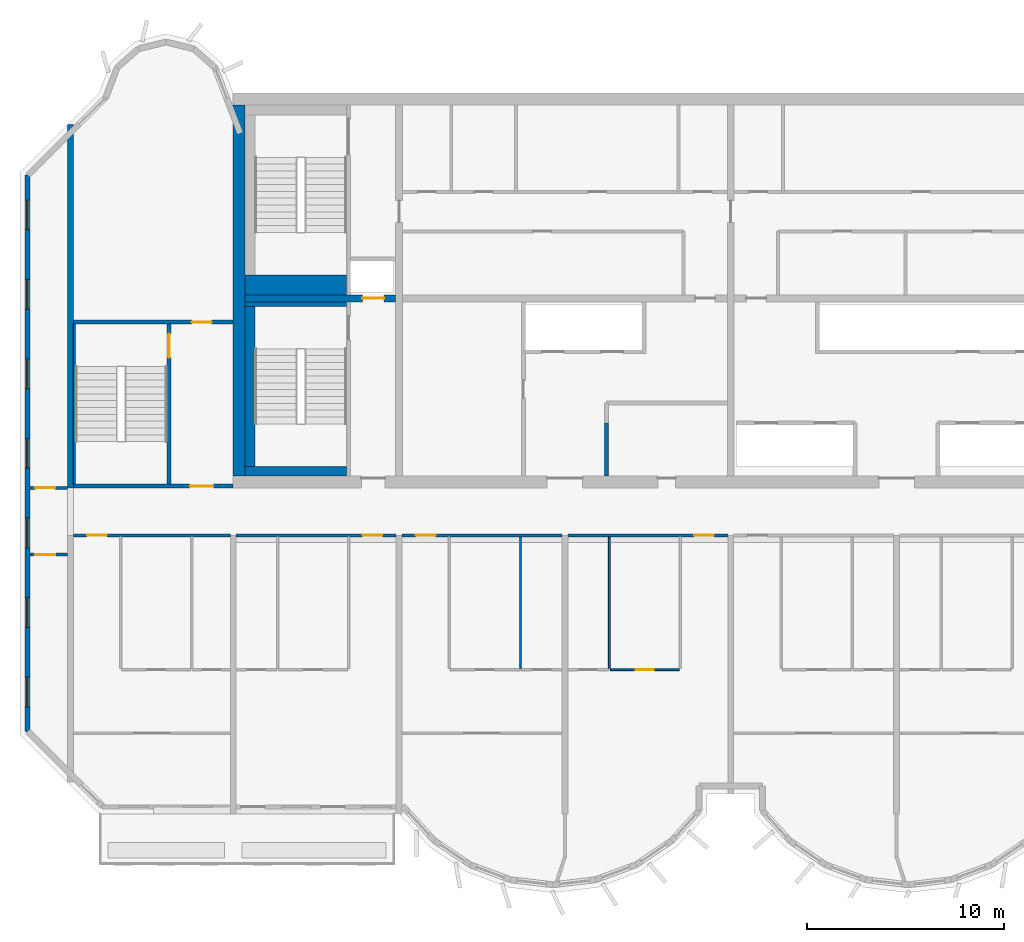
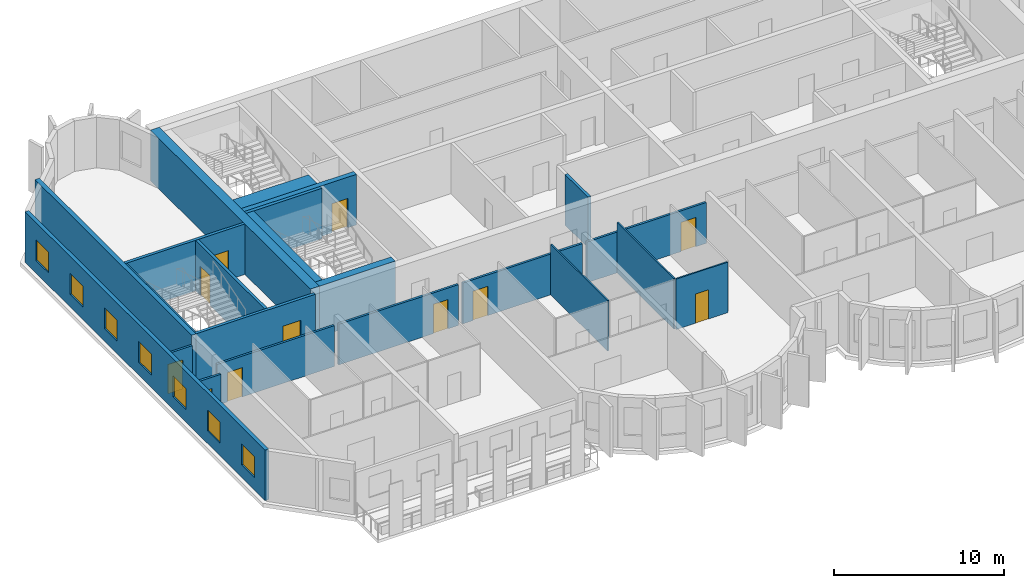
# One storey, part 3 of 11: 22 walls, 11 doors, 7 windows, 18 openings.
"""IFC4 building model written with IfcOpenShell, lengths in metres."""

from ifc_helpers import new_model, si_unit, direction, frame, frame_2d, origin, place, context, subcontext, project, spatial, rectangle, extrude, source, transform, mapped, material, layer, layer_set, type_object, element, fill, save


model = new_model("IFC4")

# Units and contexts
model_context = context("Model", 3, precision=1e-05, world=origin(), true_north=direction((0.0, 1.0)))
body_context = subcontext(model_context, "Body", "Model", "MODEL_VIEW")
ifc_project = project(units=[si_unit("LENGTHUNIT", "METRE"), si_unit("AREAUNIT", "SQUARE_METRE"), si_unit("VOLUMEUNIT", "CUBIC_METRE"), si_unit("PLANEANGLEUNIT", "RADIAN"), si_unit("MASSUNIT", "GRAM", prefix="KILO")], contexts=[model_context])

# Site, building, storey
site_placement = place(None, origin())
site = spatial("IfcSite", under=ifc_project, at=site_placement, CompositionType="ELEMENT")
building_placement = place(site_placement, origin())
building = spatial("IfcBuilding", under=site, at=building_placement, Name="Vanashikhar Sky Hotel", CompositionType="ELEMENT")
storey_placement = place(building_placement, frame((0.0, 0.0, 249.10009765625)))
storey = spatial("IfcBuildingStorey", under=building, at=storey_placement, Name="L60", CompositionType="ELEMENT", Elevation=249.10009765625)

# Wall
ifc_material_1 = material(Name="Concrete M60", Category="concrete")
ifc_layer_1 = layer(ifc_material_1, 0.60009765625)
ifc_layer_set_1 = layer_set([ifc_layer_1], Name="RC core shell wall 600 Concrete M60")
wall_type_1 = type_object("IfcWallType", Name="RC core shell wall 600 Concrete M60", PredefinedType="SHEAR", material=ifc_layer_set_1)
shared_shape_1 = source(origin(), body_context, "Body", "SweptSolid", [
    extrude(rectangle(XDim=18.7998046875, YDim=0.60009765625, at=frame_2d((9.39990234375, 0.0))), origin(), (0.0, 0.0, 1.0), 3.619873046875),
])
wall_1_placement = place(storey_placement, frame((25.5, 22.60009765625, 0.0), z_axis=(0.0, 0.0, 1.0), x_axis=(0.0, 1.0, 0.0)))
element("IfcWall", 1, at=wall_1_placement, inside=storey, type_object=wall_type_1, Name="KW-L60-KW", PredefinedType="SHEAR", context=body_context, shape_type="MappedRepresentation", body=[
    mapped(shared_shape_1, transform((0.0, 0.0, 0.0), scale=1.0)),
])

# Wall, opening, door
ifc_layer_2 = layer(ifc_material_1, 0.35009765625)
ifc_layer_set_2 = layer_set([ifc_layer_2], Name="RC core inner wall 350 Concrete M60")
wall_type_2 = type_object("IfcWallType", Name="RC core inner wall 350 Concrete M60", PredefinedType="SHEAR", material=ifc_layer_set_2)
shared_shape_2 = source(origin(), body_context, "Body", "SweptSolid", [
    extrude(rectangle(XDim=7.625, YDim=0.35009765625, at=frame_2d((3.8125, 0.0))), origin(), (0.0, 0.0, 1.0), 3.619873046875),
])
wall_2_placement = place(storey_placement, frame((25.800048828125, 31.60009765625, 0.0), z_axis=(0.0, 0.0, 1.0), x_axis=(1.0, 0.0, 0.0)))
wall_2 = element("IfcWall", 2, at=wall_2_placement, inside=storey, type_object=wall_type_2, Name="KW-L60-KY1", PredefinedType="SHEAR", context=body_context, shape_type="MappedRepresentation", body=[
    mapped(shared_shape_2, transform((0.0, 0.0, 0.0), scale=1.0)),
])
shared_shape_3 = source(origin(), body_context, "Body", "SweptSolid", [
    extrude(rectangle(XDim=1.10009765625, YDim=2.10009765625, at=frame_2d((0.550048828125, 1.050048828125))), frame((0.0, 0.18505859375, 0.0), z_axis=(0.0, -1.0, 0.0), x_axis=(1.0, 0.0, 0.0)), (0.0, 0.0, 1.0), 0.3701171875),
])
opening_1_placement = place(wall_2_placement, frame((5.93798828125, 0.0, 0.0)))
opening_1 = element("IfcOpeningElement", 3, at=opening_1_placement, cuts=wall_2, Name="Opening LD", PredefinedType="OPENING", context=body_context, shape_type="MappedRepresentation", body=[
    mapped(shared_shape_3, transform((0.0, 0.0, 0.0), scale=1.0)),
])
ifc_material_2 = material(Name="Stainless steel", Category="steel")
door_type_1 = type_object("IfcDoorType", Name="Lift landing door 1100", OperationType="NOTDEFINED", PredefinedType="DOOR", material=ifc_material_2)
shared_shape_4 = source(origin(), body_context, "Body", "SweptSolid", [
    extrude(rectangle(XDim=1.10009765625, YDim=2.10009765625, at=frame_2d((0.550048828125, 1.050048828125))), frame((0.0, 0.02490234375, 0.0), z_axis=(0.0, -1.0, 0.0), x_axis=(1.0, 0.0, 0.0)), (0.0, 0.0, 1.0), 0.050048828125),
])
door_1_placement = place(opening_1_placement, origin())
door_1 = element("IfcDoor", 4, at=door_1_placement, inside=storey, type_object=door_type_1, Name="Lift landing door 1100", OperationType="SLIDING_TO_RIGHT", OverallHeight=2.10009765625, OverallWidth=1.10009765625, PredefinedType="DOOR", context=body_context, shape_type="MappedRepresentation", body=[
    mapped(shared_shape_4, transform((0.0, 0.0, 0.0), scale=1.0)),
])
fill(opening_1, door_1)

# Wall
ifc_layer_3 = layer(ifc_material_1, 0.300048828125)
ifc_layer_set_3 = layer_set([ifc_layer_3], Name="RC shear wall 300 Concrete M60")
wall_type_3 = type_object("IfcWallType", Name="RC shear wall 300 Concrete M60", PredefinedType="SHEAR", material=ifc_layer_set_3)
shared_shape_5 = source(origin(), body_context, "Body", "SweptSolid", [
    extrude(rectangle(XDim=18.39990234375, YDim=0.300048828125, at=frame_2d((9.199951171875, 0.0))), origin(), (0.0, 0.0, 1.0), 3.619873046875),
])
wall_3_placement = place(storey_placement, frame((16.949951171875, 22.0, 0.0), z_axis=(0.0, 0.0, 1.0), x_axis=(0.0, 1.0, 0.0)))
element("IfcWall", 5, at=wall_3_placement, inside=storey, type_object=wall_type_3, Name="CW-L60-XW03-2", PredefinedType="SHEAR", context=body_context, shape_type="MappedRepresentation", body=[
    mapped(shared_shape_5, transform((0.0, 0.0, 0.0), scale=1.0)),
])

# Wall, openings, windows
ifc_material_3 = material(Name="Concrete M50", Category="concrete")
ifc_layer_4 = layer(ifc_material_3, 0.25)
ifc_layer_set_4 = layer_set([ifc_layer_4], Name="Rear and end board-marked wall 250")
wall_type_4 = type_object("IfcWallType", Name="Rear and end board-marked wall 250", PredefinedType="SOLIDWALL", material=ifc_layer_set_4)
shared_shape_6 = source(origin(), body_context, "Body", "SweptSolid", [
    extrude(rectangle(XDim=28.189453125, YDim=0.25, at=frame_2d((14.0947265625, 0.0))), origin(), (0.0, 0.0, 1.0), 3.619873046875),
])
wall_4_placement = place(storey_placement, frame((14.77490234375, 37.8447265625, 0.0), z_axis=(0.0, 0.0, 1.0), x_axis=(0.0, -1.0, 0.0)))
wall_4 = element("IfcWall", 6, at=wall_4_placement, inside=storey, type_object=wall_type_4, Name="End board-marked wall", PredefinedType="SOLIDWALL", context=body_context, shape_type="MappedRepresentation", body=[
    mapped(shared_shape_6, transform((0.0, 0.0, 0.0), scale=1.0)),
])
shared_shape_7 = source(origin(), body_context, "Body", "SweptSolid", [
    extrude(rectangle(XDim=1.5, YDim=1.5, at=frame_2d((0.75, 0.75))), frame((0.0, 0.135009765625, 0.0), z_axis=(0.0, -1.0, 0.0), x_axis=(1.0, 0.0, 0.0)), (0.0, 0.0, 1.0), 0.27001953125),
])
opening_2_placement = place(wall_4_placement, frame((1.263427734375, 0.0, 0.89990234375)))
opening_2 = element("IfcOpeningElement", 7, at=opening_2_placement, cuts=wall_4, Name="Opening WN-1", PredefinedType="OPENING", context=body_context, shape_type="MappedRepresentation", body=[
    mapped(shared_shape_7, transform((0.0, 0.0, 0.0), scale=1.0)),
])
opening_3_placement = place(wall_4_placement, frame((5.29052734375, 0.0, 0.89990234375)))
opening_3 = element("IfcOpeningElement", 8, at=opening_3_placement, cuts=wall_4, Name="Opening WN-1", PredefinedType="OPENING", context=body_context, shape_type="MappedRepresentation", body=[
    mapped(shared_shape_7, transform((0.0, 0.0, 0.0), scale=1.0)),
])
opening_4_placement = place(wall_4_placement, frame((9.317626953125, 0.0, 0.89990234375)))
opening_4 = element("IfcOpeningElement", 9, at=opening_4_placement, cuts=wall_4, Name="Opening WN-1", PredefinedType="OPENING", context=body_context, shape_type="MappedRepresentation", body=[
    mapped(shared_shape_7, transform((0.0, 0.0, 0.0), scale=1.0)),
])
opening_5_placement = place(wall_4_placement, frame((13.3447265625, 0.0, 0.89990234375)))
opening_5 = element("IfcOpeningElement", 10, at=opening_5_placement, cuts=wall_4, Name="Opening WN-1", PredefinedType="OPENING", context=body_context, shape_type="MappedRepresentation", body=[
    mapped(shared_shape_7, transform((0.0, 0.0, 0.0), scale=1.0)),
])
opening_6_placement = place(wall_4_placement, frame((17.371826171875, 0.0, 0.89990234375)))
opening_6 = element("IfcOpeningElement", 11, at=opening_6_placement, cuts=wall_4, Name="Opening WN-1", PredefinedType="OPENING", context=body_context, shape_type="MappedRepresentation", body=[
    mapped(shared_shape_7, transform((0.0, 0.0, 0.0), scale=1.0)),
])
opening_7_placement = place(wall_4_placement, frame((21.398681640625, 0.0, 0.89990234375)))
opening_7 = element("IfcOpeningElement", 12, at=opening_7_placement, cuts=wall_4, Name="Opening WN-1", PredefinedType="OPENING", context=body_context, shape_type="MappedRepresentation", body=[
    mapped(shared_shape_7, transform((0.0, 0.0, 0.0), scale=1.0)),
])
opening_8_placement = place(wall_4_placement, frame((25.42578125, 0.0, 0.89990234375)))
opening_8 = element("IfcOpeningElement", 13, at=opening_8_placement, cuts=wall_4, Name="Opening WN-1", PredefinedType="OPENING", context=body_context, shape_type="MappedRepresentation", body=[
    mapped(shared_shape_7, transform((0.0, 0.0, 0.0), scale=1.0)),
])
ifc_material_4 = material(Name="Glass", Category="glass")
window_type = type_object("IfcWindowType", Name="Window 1500 x 1500", PartitioningType="SINGLE_PANEL", PredefinedType="WINDOW", material=ifc_material_4)
shared_shape_8 = source(origin(), body_context, "Body", "SweptSolid", [
    extrude(rectangle(XDim=1.5, YDim=1.5, at=frame_2d((0.75, 0.75))), frame((0.0, 0.030029296875, 0.0), z_axis=(0.0, -1.0, 0.0), x_axis=(1.0, 0.0, 0.0)), (0.0, 0.0, 1.0), 0.06005859375),
])
window_1_placement = place(opening_2_placement, origin())
window_1 = element("IfcWindow", 14, at=window_1_placement, inside=storey, type_object=window_type, Name="Window WN-1", OverallHeight=1.5, OverallWidth=1.5, PartitioningType="SINGLE_PANEL", PredefinedType="WINDOW", context=body_context, shape_type="MappedRepresentation", body=[
    mapped(shared_shape_8, transform((0.0, 0.0, 0.0), scale=1.0)),
])
fill(opening_2, window_1)
window_2_placement = place(opening_3_placement, origin())
window_2 = element("IfcWindow", 15, at=window_2_placement, inside=storey, type_object=window_type, Name="Window WN-1", OverallHeight=1.5, OverallWidth=1.5, PartitioningType="SINGLE_PANEL", PredefinedType="WINDOW", context=body_context, shape_type="MappedRepresentation", body=[
    mapped(shared_shape_8, transform((0.0, 0.0, 0.0), scale=1.0)),
])
fill(opening_3, window_2)
window_3_placement = place(opening_4_placement, origin())
window_3 = element("IfcWindow", 16, at=window_3_placement, inside=storey, type_object=window_type, Name="Window WN-1", OverallHeight=1.5, OverallWidth=1.5, PartitioningType="SINGLE_PANEL", PredefinedType="WINDOW", context=body_context, shape_type="MappedRepresentation", body=[
    mapped(shared_shape_8, transform((0.0, 0.0, 0.0), scale=1.0)),
])
fill(opening_4, window_3)
window_4_placement = place(opening_5_placement, origin())
window_4 = element("IfcWindow", 17, at=window_4_placement, inside=storey, type_object=window_type, Name="Window WN-1", OverallHeight=1.5, OverallWidth=1.5, PartitioningType="SINGLE_PANEL", PredefinedType="WINDOW", context=body_context, shape_type="MappedRepresentation", body=[
    mapped(shared_shape_8, transform((0.0, 0.0, 0.0), scale=1.0)),
])
fill(opening_5, window_4)
window_5_placement = place(opening_6_placement, origin())
window_5 = element("IfcWindow", 18, at=window_5_placement, inside=storey, type_object=window_type, Name="Window WN-1", OverallHeight=1.5, OverallWidth=1.5, PartitioningType="SINGLE_PANEL", PredefinedType="WINDOW", context=body_context, shape_type="MappedRepresentation", body=[
    mapped(shared_shape_8, transform((0.0, 0.0, 0.0), scale=1.0)),
])
fill(opening_6, window_5)
window_6_placement = place(opening_7_placement, origin())
window_6 = element("IfcWindow", 19, at=window_6_placement, inside=storey, type_object=window_type, Name="Window WN-1", OverallHeight=1.5, OverallWidth=1.5, PartitioningType="SINGLE_PANEL", PredefinedType="WINDOW", context=body_context, shape_type="MappedRepresentation", body=[
    mapped(shared_shape_8, transform((0.0, 0.0, 0.0), scale=1.0)),
])
fill(opening_7, window_6)
window_7_placement = place(opening_8_placement, origin())
window_7 = element("IfcWindow", 20, at=window_7_placement, inside=storey, type_object=window_type, Name="Window WN-1", OverallHeight=1.5, OverallWidth=1.5, PartitioningType="SINGLE_PANEL", PredefinedType="WINDOW", context=body_context, shape_type="MappedRepresentation", body=[
    mapped(shared_shape_8, transform((0.0, 0.0, 0.0), scale=1.0)),
])
fill(opening_8, window_7)

# Wall
ifc_material_5 = material(Name="Gypsum board partition")
ifc_layer_5 = layer(ifc_material_5, 0.14990234375)
ifc_layer_set_5 = layer_set([ifc_layer_5], Name="Service partition 150")
wall_type_5 = type_object("IfcWallType", Name="Service partition 150", PredefinedType="PARTITIONING", material=ifc_layer_set_5)
shared_shape_9 = source(origin(), body_context, "Body", "SweptSolid", [
    extrude(rectangle(XDim=2.699951171875, YDim=0.199951171875, at=frame_2d((1.35009765625, 0.0))), origin(), (0.0, 0.0, 1.0), 3.619873046875),
])
wall_5_placement = place(storey_placement, frame((44.10009765625, 22.60009765625, 0.0), z_axis=(0.0, 0.0, 1.0), x_axis=(0.0, 1.0, 0.0)))
element("IfcWall", 21, at=wall_5_placement, inside=storey, type_object=wall_type_5, Name="Service partition 150", PredefinedType="PARTITIONING", context=body_context, shape_type="MappedRepresentation", body=[
    mapped(shared_shape_9, transform((0.0, 0.0, 0.0), scale=1.0)),
])

# Wall, opening, door
ifc_layer_6 = layer(ifc_material_3, 0.199951171875)
ifc_layer_set_6 = layer_set([ifc_layer_6], Name="Stair wall 200")
wall_type_6 = type_object("IfcWallType", Name="Stair wall 200", PredefinedType="SOLIDWALL", material=ifc_layer_set_6)
shared_shape_10 = source(origin(), body_context, "Body", "SweptSolid", [
    extrude(rectangle(XDim=8.2998046875, YDim=0.199951171875, at=frame_2d((4.14990234375, 0.0))), origin(), (0.0, 0.0, 1.0), 3.619873046875),
])
wall_6_placement = place(storey_placement, frame((21.949951171875, 22.10009765625, 0.0), z_axis=(0.0, 0.0, 1.0), x_axis=(0.0, 1.0, 0.0)))
wall_6 = element("IfcWall", 22, at=wall_6_placement, inside=storey, type_object=wall_type_6, Name="Stair wall 200", PredefinedType="SOLIDWALL", context=body_context, shape_type="MappedRepresentation", body=[
    mapped(shared_shape_10, transform((0.0, 0.0, 0.0), scale=1.0)),
])
shared_shape_11 = source(origin(), body_context, "Body", "SweptSolid", [
    extrude(rectangle(XDim=1.199951171875, YDim=2.10009765625, at=frame_2d((0.60009765625, 1.050048828125))), frame((0.0, 0.10986328125, 0.0), z_axis=(0.0, -1.0, 0.0), x_axis=(1.0, 0.0, 0.0)), (0.0, 0.0, 1.0), 0.219970703125),
])
opening_9_placement = place(wall_6_placement, frame((6.5, 0.0, 0.0)))
opening_9 = element("IfcOpeningElement", 23, at=opening_9_placement, cuts=wall_6, Name="Opening DC-1", PredefinedType="OPENING", context=body_context, shape_type="MappedRepresentation", body=[
    mapped(shared_shape_11, transform((0.0, 0.0, 0.0), scale=1.0)),
])
ifc_material_6 = material(Name="Steel", Category="steel")
door_type_2 = type_object("IfcDoorType", Name="Stair door 1200 FD120", OperationType="NOTDEFINED", PredefinedType="DOOR", material=ifc_material_6)
shared_shape_12 = source(origin(), body_context, "Body", "SweptSolid", [
    extrude(rectangle(XDim=1.199951171875, YDim=2.10009765625, at=frame_2d((0.60009765625, 1.050048828125))), frame((0.0, 0.02490234375, 0.0), z_axis=(0.0, -1.0, 0.0), x_axis=(1.0, 0.0, 0.0)), (0.0, 0.0, 1.0), 0.050048828125),
])
door_2_placement = place(opening_9_placement, origin())
door_2 = element("IfcDoor", 24, at=door_2_placement, inside=storey, type_object=door_type_2, Name="Stair door 1200 FD120", OperationType="SINGLE_SWING_LEFT", OverallHeight=2.10009765625, OverallWidth=1.199951171875, PredefinedType="DOOR", context=body_context, shape_type="MappedRepresentation", body=[
    mapped(shared_shape_12, transform((0.0, 0.0, 0.0), scale=1.0)),
])
fill(opening_9, door_2)

shared_shape_13 = source(origin(), body_context, "Body", "SweptSolid", [
    extrude(rectangle(XDim=8.099853515625, YDim=0.199951171875, at=frame_2d((4.0498046875, 0.0))), origin(), (0.0, 0.0, 1.0), 3.619873046875),
])
wall_7_placement = place(storey_placement, frame((17.10009765625, 22.10009765625, 0.0), z_axis=(0.0, 0.0, 1.0), x_axis=(1.0, 0.0, 0.0)))
wall_7 = element("IfcWall", 25, at=wall_7_placement, inside=storey, type_object=wall_type_6, Name="Stair wall 200", PredefinedType="SOLIDWALL", context=body_context, shape_type="MappedRepresentation", body=[
    mapped(shared_shape_13, transform((0.0, 0.0, 0.0), scale=1.0)),
])
opening_10_placement = place(wall_7_placement, frame((5.89990234375, 0.0, 0.0)))
opening_10 = element("IfcOpeningElement", 26, at=opening_10_placement, cuts=wall_7, Name="Opening DC-2", PredefinedType="OPENING", context=body_context, shape_type="MappedRepresentation", body=[
    mapped(shared_shape_11, transform((0.0, 0.0, 0.0), scale=1.0)),
])
door_type_3 = type_object("IfcDoorType", Name="Firefighting lobby door 1200 FD120", OperationType="NOTDEFINED", PredefinedType="DOOR", material=ifc_material_6)
door_3_placement = place(opening_10_placement, origin())
door_3 = element("IfcDoor", 27, at=door_3_placement, inside=storey, type_object=door_type_3, Name="Firefighting lobby door 1200 FD120", OperationType="SINGLE_SWING_LEFT", OverallHeight=2.10009765625, OverallWidth=1.199951171875, PredefinedType="DOOR", context=body_context, shape_type="MappedRepresentation", body=[
    mapped(shared_shape_12, transform((0.0, 0.0, 0.0), scale=1.0)),
])
fill(opening_10, door_3)

wall_8_placement = place(storey_placement, frame((17.10009765625, 30.39990234375, 0.0), z_axis=(0.0, 0.0, 1.0), x_axis=(1.0, 0.0, 0.0)))
wall_8 = element("IfcWall", 28, at=wall_8_placement, inside=storey, type_object=wall_type_6, Name="Stair wall 200", PredefinedType="SOLIDWALL", context=body_context, shape_type="MappedRepresentation", body=[
    mapped(shared_shape_13, transform((0.0, 0.0, 0.0), scale=1.0)),
])
shared_shape_14 = source(origin(), body_context, "Body", "SweptSolid", [
    extrude(rectangle(XDim=1.0, YDim=2.10009765625, at=frame_2d((0.5, 1.050048828125))), frame((0.0, 0.10986328125, 0.0), z_axis=(0.0, -1.0, 0.0), x_axis=(1.0, 0.0, 0.0)), (0.0, 0.0, 1.0), 0.219970703125),
])
opening_11_placement = place(wall_8_placement, frame((6.0, 0.0, 0.0)))
opening_11 = element("IfcOpeningElement", 29, at=opening_11_placement, cuts=wall_8, Name="Opening DC-6", PredefinedType="OPENING", context=body_context, shape_type="MappedRepresentation", body=[
    mapped(shared_shape_14, transform((0.0, 0.0, 0.0), scale=1.0)),
])
door_type_4 = type_object("IfcDoorType", Name="Pocket door 1000 FD60", OperationType="NOTDEFINED", PredefinedType="DOOR", material=ifc_material_6)
shared_shape_15 = source(origin(), body_context, "Body", "SweptSolid", [
    extrude(rectangle(XDim=1.0, YDim=2.10009765625, at=frame_2d((0.5, 1.050048828125))), frame((0.0, 0.02490234375, 0.0), z_axis=(0.0, -1.0, 0.0), x_axis=(1.0, 0.0, 0.0)), (0.0, 0.0, 1.0), 0.050048828125),
])
door_4_placement = place(opening_11_placement, origin())
door_4 = element("IfcDoor", 30, at=door_4_placement, inside=storey, type_object=door_type_4, Name="Pocket door 1000 FD60", OperationType="SINGLE_SWING_LEFT", OverallHeight=2.10009765625, OverallWidth=1.0, PredefinedType="DOOR", context=body_context, shape_type="MappedRepresentation", body=[
    mapped(shared_shape_15, transform((0.0, 0.0, 0.0), scale=1.0)),
])
fill(opening_11, door_4)

# Walls
ifc_layer_7 = layer(ifc_material_3, 0.5)
ifc_layer_set_7 = layer_set([ifc_layer_7], Name="Stair infill wall 500")
wall_type_7 = type_object("IfcWallType", Name="Stair infill wall 500", PredefinedType="SOLIDWALL", material=ifc_layer_set_7)
shared_shape_16 = source(origin(), body_context, "Body", "SweptSolid", [
    extrude(rectangle(XDim=5.14990234375, YDim=0.5, at=frame_2d((2.574951171875, 0.0))), origin(), (0.0, 0.0, 1.0), 3.619873046875),
])
wall_9_placement = place(storey_placement, frame((25.800048828125, 22.85009765625, 0.0), z_axis=(0.0, 0.0, 1.0), x_axis=(1.0, 0.0, 0.0)))
element("IfcWall", 31, at=wall_9_placement, inside=storey, type_object=wall_type_7, Name="Stair infill wall 500", PredefinedType="SOLIDWALL", context=body_context, shape_type="MappedRepresentation", body=[
    mapped(shared_shape_16, transform((0.0, 0.0, 0.0), scale=1.0)),
])
ifc_layer_8 = layer(ifc_material_3, 0.22509765625)
ifc_layer_set_8 = layer_set([ifc_layer_8], Name="Stair infill wall 225")
wall_type_8 = type_object("IfcWallType", Name="Stair infill wall 225", PredefinedType="SOLIDWALL", material=ifc_layer_set_8)
shared_shape_17 = source(origin(), body_context, "Body", "SweptSolid", [
    extrude(rectangle(XDim=5.14990234375, YDim=0.22509765625, at=frame_2d((2.574951171875, 0.0))), origin(), (0.0, 0.0, 1.0), 3.619873046875),
])
wall_10_placement = place(storey_placement, frame((25.800048828125, 31.31201171875, 0.0), z_axis=(0.0, 0.0, 1.0), x_axis=(1.0, 0.0, 0.0)))
element("IfcWall", 32, at=wall_10_placement, inside=storey, type_object=wall_type_8, Name="Stair infill wall 225", PredefinedType="SOLIDWALL", context=body_context, shape_type="MappedRepresentation", body=[
    mapped(shared_shape_17, transform((0.0, 0.0, 0.0), scale=1.0)),
])
shared_shape_18 = source(origin(), body_context, "Body", "SweptSolid", [
    extrude(rectangle(XDim=8.099853515625, YDim=0.5, at=frame_2d((4.0498046875, 0.0))), origin(), (0.0, 0.0, 1.0), 3.619873046875),
])
wall_11_placement = place(storey_placement, frame((26.050048828125, 23.10009765625, 0.0), z_axis=(0.0, 0.0, 1.0), x_axis=(0.0, 1.0, 0.0)))
element("IfcWall", 33, at=wall_11_placement, inside=storey, type_object=wall_type_7, Name="Stair infill wall 500", PredefinedType="SOLIDWALL", context=body_context, shape_type="MappedRepresentation", body=[
    mapped(shared_shape_18, transform((0.0, 0.0, 0.0), scale=1.0)),
])
ifc_layer_9 = layer(ifc_material_3, 0.10009765625)
ifc_layer_set_9 = layer_set([ifc_layer_9], Name="Stair infill wall 100")
wall_type_9 = type_object("IfcWallType", Name="Stair infill wall 100", PredefinedType="SOLIDWALL", material=ifc_layer_set_9)
shared_shape_19 = source(origin(), body_context, "Body", "SweptSolid", [
    extrude(rectangle(XDim=8.10009765625, YDim=0.10009765625, at=frame_2d((4.050048828125, 0.0))), origin(), (0.0, 0.0, 1.0), 3.619873046875),
])
wall_12_placement = place(storey_placement, frame((17.14990234375, 22.199951171875, 0.0), z_axis=(0.0, 0.0, 1.0), x_axis=(0.0, 1.0, 0.0)))
element("IfcWall", 34, at=wall_12_placement, inside=storey, type_object=wall_type_9, Name="Stair infill wall 100", PredefinedType="SOLIDWALL", context=body_context, shape_type="MappedRepresentation", body=[
    mapped(shared_shape_19, transform((0.0, 0.0, 0.0), scale=1.0)),
])
ifc_layer_10 = layer(ifc_material_3, 1.02490234375)
ifc_layer_set_10 = layer_set([ifc_layer_10], Name="Stair infill wall 1025")
wall_type_10 = type_object("IfcWallType", Name="Stair infill wall 1025", PredefinedType="SOLIDWALL", material=ifc_layer_set_10)
shared_shape_20 = source(origin(), body_context, "Body", "SweptSolid", [
    extrude(rectangle(XDim=5.14990234375, YDim=1.02490234375, at=frame_2d((2.574951171875, 0.0))), origin(), (0.0, 0.0, 1.0), 3.619873046875),
])
wall_13_placement = place(storey_placement, frame((25.800048828125, 32.287109375, 0.0), z_axis=(0.0, 0.0, 1.0), x_axis=(1.0, 0.0, 0.0)))
element("IfcWall", 35, at=wall_13_placement, inside=storey, type_object=wall_type_10, Name="Stair infill wall 1025", PredefinedType="SOLIDWALL", context=body_context, shape_type="MappedRepresentation", body=[
    mapped(shared_shape_20, transform((0.0, 0.0, 0.0), scale=1.0)),
])

# Wall, opening, door
ifc_material_7 = material(Name="Gypsum plasterboard partition")
ifc_layer_11 = layer(ifc_material_7, 0.14990234375)
ifc_layer_set_11 = layer_set([ifc_layer_11], Name="Corridor and demising partition 150")
wall_type_11 = type_object("IfcWallType", Name="Corridor and demising partition 150", PredefinedType="PARTITIONING", material=ifc_layer_set_11)
shared_shape_21 = source(origin(), body_context, "Body", "SweptSolid", [
    extrude(rectangle(XDim=8.099853515625, YDim=0.14990234375, at=frame_2d((4.0498046875, 0.0))), origin(), (0.0, 0.0, 1.0), 2.919921875),
])
wall_14_placement = place(storey_placement, frame((25.35009765625, 19.60009765625, 0.0), z_axis=(0.0, 0.0, 1.0), x_axis=(1.0, 0.0, 0.0)))
wall_14 = element("IfcWall", 36, at=wall_14_placement, inside=storey, type_object=wall_type_11, Name="W-L60-PW011", PredefinedType="PARTITIONING", context=body_context, shape_type="MappedRepresentation", body=[
    mapped(shared_shape_21, transform((0.0, 0.0, 0.0), scale=1.0)),
])
shared_shape_22 = source(origin(), body_context, "Body", "SweptSolid", [
    extrude(rectangle(XDim=1.0, YDim=2.10009765625, at=frame_2d((0.5, 1.050048828125))), frame((0.0, 0.0849609375, 0.0), z_axis=(0.0, -1.0, 0.0), x_axis=(1.0, 0.0, 0.0)), (0.0, 0.0, 1.0), 0.169921875),
])
opening_12_placement = place(wall_14_placement, frame((6.39990234375, 0.0, 0.0)))
opening_12 = element("IfcOpeningElement", 37, at=opening_12_placement, cuts=wall_14, Name="Opening D-01", PredefinedType="OPENING", context=body_context, shape_type="MappedRepresentation", body=[
    mapped(shared_shape_22, transform((0.0, 0.0, 0.0), scale=1.0)),
])
ifc_material_8 = material(Name="Timber fire door", Category="wood")
door_type_5 = type_object("IfcDoorType", Name="Guest entry door 1000 FD30S", OperationType="NOTDEFINED", PredefinedType="DOOR", material=ifc_material_8)
door_5_placement = place(opening_12_placement, origin())
door_5 = element("IfcDoor", 38, at=door_5_placement, inside=storey, type_object=door_type_5, Name="D-L60-007", OperationType="SINGLE_SWING_RIGHT", OverallHeight=2.10009765625, OverallWidth=1.0, PredefinedType="DOOR", context=body_context, shape_type="MappedRepresentation", body=[
    mapped(shared_shape_15, transform((0.0, 0.0, 0.0), scale=1.0)),
])
fill(opening_12, door_5)

shared_shape_23 = source(origin(), body_context, "Body", "SweptSolid", [
    extrude(rectangle(XDim=8.10009765625, YDim=0.14990234375, at=frame_2d((4.050048828125, 0.0))), origin(), (0.0, 0.0, 1.0), 2.919921875),
])
wall_15_placement = place(storey_placement, frame((33.75, 19.60009765625, 0.0), z_axis=(0.0, 0.0, 1.0), x_axis=(1.0, 0.0, 0.0)))
wall_15 = element("IfcWall", 39, at=wall_15_placement, inside=storey, type_object=wall_type_11, Name="W-L60-PW017", PredefinedType="PARTITIONING", context=body_context, shape_type="MappedRepresentation", body=[
    mapped(shared_shape_23, transform((0.0, 0.0, 0.0), scale=1.0)),
])
opening_13_placement = place(wall_15_placement, frame((0.699951171875, 0.0, 0.0)))
opening_13 = element("IfcOpeningElement", 40, at=opening_13_placement, cuts=wall_15, Name="Opening D-01", PredefinedType="OPENING", context=body_context, shape_type="MappedRepresentation", body=[
    mapped(shared_shape_22, transform((0.0, 0.0, 0.0), scale=1.0)),
])
door_6_placement = place(opening_13_placement, origin())
door_6 = element("IfcDoor", 41, at=door_6_placement, inside=storey, type_object=door_type_5, Name="D-L60-011", OperationType="SINGLE_SWING_LEFT", OverallHeight=2.10009765625, OverallWidth=1.0, PredefinedType="DOOR", context=body_context, shape_type="MappedRepresentation", body=[
    mapped(shared_shape_15, transform((0.0, 0.0, 0.0), scale=1.0)),
])
fill(opening_13, door_6)

wall_16_placement = place(storey_placement, frame((42.14990234375, 19.60009765625, 0.0), z_axis=(0.0, 0.0, 1.0), x_axis=(1.0, 0.0, 0.0)))
wall_16 = element("IfcWall", 42, at=wall_16_placement, inside=storey, type_object=wall_type_11, Name="W-L60-PW022", PredefinedType="PARTITIONING", context=body_context, shape_type="MappedRepresentation", body=[
    mapped(shared_shape_23, transform((0.0, 0.0, 0.0), scale=1.0)),
])
opening_14_placement = place(wall_16_placement, frame((6.39990234375, 0.0, 0.0)))
opening_14 = element("IfcOpeningElement", 43, at=opening_14_placement, cuts=wall_16, Name="Opening D-01", PredefinedType="OPENING", context=body_context, shape_type="MappedRepresentation", body=[
    mapped(shared_shape_22, transform((0.0, 0.0, 0.0), scale=1.0)),
])
door_7_placement = place(opening_14_placement, origin())
door_7 = element("IfcDoor", 44, at=door_7_placement, inside=storey, type_object=door_type_5, Name="D-L60-014", OperationType="SINGLE_SWING_RIGHT", OverallHeight=2.10009765625, OverallWidth=1.0, PredefinedType="DOOR", context=body_context, shape_type="MappedRepresentation", body=[
    mapped(shared_shape_15, transform((0.0, 0.0, 0.0), scale=1.0)),
])
fill(opening_14, door_7)

shared_shape_24 = source(origin(), body_context, "Body", "SweptSolid", [
    extrude(rectangle(XDim=7.949951171875, YDim=0.14990234375, at=frame_2d((3.97509765625, 0.0))), origin(), (0.0, 0.0, 1.0), 2.919921875),
])
wall_17_placement = place(storey_placement, frame((17.10009765625, 19.60009765625, 0.0), z_axis=(0.0, 0.0, 1.0), x_axis=(1.0, 0.0, 0.0)))
wall_17 = element("IfcWall", 45, at=wall_17_placement, inside=storey, type_object=wall_type_11, Name="W-L60-PW006", PredefinedType="PARTITIONING", context=body_context, shape_type="MappedRepresentation", body=[
    mapped(shared_shape_24, transform((0.0, 0.0, 0.0), scale=1.0)),
])
opening_15_placement = place(wall_17_placement, frame((0.699951171875, 0.0, 0.0)))
opening_15 = element("IfcOpeningElement", 46, at=opening_15_placement, cuts=wall_17, Name="Opening D-01", PredefinedType="OPENING", context=body_context, shape_type="MappedRepresentation", body=[
    mapped(shared_shape_22, transform((0.0, 0.0, 0.0), scale=1.0)),
])
door_8_placement = place(opening_15_placement, origin())
door_8 = element("IfcDoor", 47, at=door_8_placement, inside=storey, type_object=door_type_5, Name="D-L60-004", OperationType="SINGLE_SWING_LEFT", OverallHeight=2.10009765625, OverallWidth=1.0, PredefinedType="DOOR", context=body_context, shape_type="MappedRepresentation", body=[
    mapped(shared_shape_15, transform((0.0, 0.0, 0.0), scale=1.0)),
])
fill(opening_15, door_8)

shared_shape_25 = source(origin(), body_context, "Body", "SweptSolid", [
    extrude(rectangle(XDim=1.900146484375, YDim=0.14990234375, at=frame_2d((0.9501953125, 0.0))), origin(), (0.0, 0.0, 1.0), 2.919921875),
])
wall_18_placement = place(storey_placement, frame((14.89990234375, 22.0, 0.0), z_axis=(0.0, 0.0, 1.0), x_axis=(1.0, 0.0, 0.0)))
wall_18 = element("IfcWall", 48, at=wall_18_placement, inside=storey, type_object=wall_type_11, Name="W-L60-PW050", PredefinedType="PARTITIONING", context=body_context, shape_type="MappedRepresentation", body=[
    mapped(shared_shape_25, transform((0.0, 0.0, 0.0), scale=1.0)),
])
opening_16_placement = place(wall_18_placement, frame((0.27490234375, 0.0, 0.0)))
opening_16 = element("IfcOpeningElement", 49, at=opening_16_placement, cuts=wall_18, Name="Opening D-01", PredefinedType="OPENING", context=body_context, shape_type="MappedRepresentation", body=[
    mapped(shared_shape_22, transform((0.0, 0.0, 0.0), scale=1.0)),
])
door_9_placement = place(opening_16_placement, origin())
door_9 = element("IfcDoor", 50, at=door_9_placement, inside=storey, type_object=door_type_5, Name="D-L60-031", OperationType="SINGLE_SWING_LEFT", OverallHeight=2.10009765625, OverallWidth=1.0, PredefinedType="DOOR", context=body_context, shape_type="MappedRepresentation", body=[
    mapped(shared_shape_15, transform((0.0, 0.0, 0.0), scale=1.0)),
])
fill(opening_16, door_9)

wall_19_placement = place(storey_placement, frame((14.89990234375, 18.6279296875, 0.0), z_axis=(0.0, 0.0, 1.0), x_axis=(1.0, 0.0, 0.0)))
wall_19 = element("IfcWall", 51, at=wall_19_placement, inside=storey, type_object=wall_type_11, Name="W-L60-PW052", PredefinedType="PARTITIONING", context=body_context, shape_type="MappedRepresentation", body=[
    mapped(shared_shape_25, transform((0.0, 0.0, 0.0), scale=1.0)),
])
opening_17_placement = place(wall_19_placement, frame((0.27490234375, 0.0, 0.0)))
opening_17 = element("IfcOpeningElement", 52, at=opening_17_placement, cuts=wall_19, Name="Opening D-01", PredefinedType="OPENING", context=body_context, shape_type="MappedRepresentation", body=[
    mapped(shared_shape_22, transform((0.0, 0.0, 0.0), scale=1.0)),
])
door_10_placement = place(opening_17_placement, origin())
door_10 = element("IfcDoor", 53, at=door_10_placement, inside=storey, type_object=door_type_5, Name="D-L60-033", OperationType="SINGLE_SWING_LEFT", OverallHeight=2.10009765625, OverallWidth=1.0, PredefinedType="DOOR", context=body_context, shape_type="MappedRepresentation", body=[
    mapped(shared_shape_15, transform((0.0, 0.0, 0.0), scale=1.0)),
])
fill(opening_17, door_10)

ifc_layer_12 = layer(ifc_material_7, 0.10009765625)
ifc_layer_set_12 = layer_set([ifc_layer_12], Name="Wet room partition 100")
wall_type_12 = type_object("IfcWallType", Name="Wet room partition 100", PredefinedType="PARTITIONING", material=ifc_layer_set_12)
shared_shape_26 = source(origin(), body_context, "Body", "SweptSolid", [
    extrude(rectangle(XDim=3.5, YDim=0.10009765625, at=frame_2d((1.75, 0.0))), origin(), (0.0, 0.0, 1.0), 3.619873046875),
])
wall_20_placement = place(storey_placement, frame((44.300048828125, 12.800048828125, 0.0), z_axis=(0.0, 0.0, 1.0), x_axis=(1.0, 0.0, 0.0)))
wall_20 = element("IfcWall", 54, at=wall_20_placement, inside=storey, type_object=wall_type_12, Name="W-L60-PW020", PredefinedType="PARTITIONING", context=body_context, shape_type="MappedRepresentation", body=[
    mapped(shared_shape_26, transform((0.0, 0.0, 0.0), scale=1.0)),
])
shared_shape_27 = source(origin(), body_context, "Body", "SweptSolid", [
    extrude(rectangle(XDim=0.89990234375, YDim=2.10009765625, at=frame_2d((0.449951171875, 1.050048828125))), frame((0.0, 0.06005859375, 0.0), z_axis=(0.0, -1.0, 0.0), x_axis=(1.0, 0.0, 0.0)), (0.0, 0.0, 1.0), 0.1201171875),
])
opening_18_placement = place(wall_20_placement, frame((1.300048828125, 0.0, 0.0)))
opening_18 = element("IfcOpeningElement", 55, at=opening_18_placement, cuts=wall_20, Name="Opening D-02", PredefinedType="OPENING", context=body_context, shape_type="MappedRepresentation", body=[
    mapped(shared_shape_27, transform((0.0, 0.0, 0.0), scale=1.0)),
])
ifc_material_9 = material(Name="Timber door", Category="wood")
door_type_6 = type_object("IfcDoorType", Name="Internal door 900", OperationType="NOTDEFINED", PredefinedType="DOOR", material=ifc_material_9)
shared_shape_28 = source(origin(), body_context, "Body", "SweptSolid", [
    extrude(rectangle(XDim=0.89990234375, YDim=2.10009765625, at=frame_2d((0.449951171875, 1.050048828125))), frame((0.0, 0.02490234375, 0.0), z_axis=(0.0, -1.0, 0.0), x_axis=(1.0, 0.0, 0.0)), (0.0, 0.0, 1.0), 0.050048828125),
])
door_11_placement = place(opening_18_placement, origin())
door_11 = element("IfcDoor", 56, at=door_11_placement, inside=storey, type_object=door_type_6, Name="D-L60-012", OperationType="SINGLE_SWING_RIGHT", OverallHeight=2.10009765625, OverallWidth=0.89990234375, PredefinedType="DOOR", context=body_context, shape_type="MappedRepresentation", body=[
    mapped(shared_shape_28, transform((0.0, 0.0, 0.0), scale=1.0)),
])
fill(opening_18, door_11)

# Walls
shared_shape_29 = source(origin(), body_context, "Body", "SweptSolid", [
    extrude(rectangle(XDim=6.64990234375, YDim=0.10009765625, at=frame_2d((3.324951171875, 0.0))), origin(), (0.0, 0.0, 1.0), 3.619873046875),
])
for number, where, z_axis, x_axis, name in (
    (57, (39.75, 12.875, 0.0), (0.0, 0.0, 1.0), (0.0, 1.0, 0.0), "W-L60-PW013"),
    (58, (44.25, 12.875, 0.0), (0.0, 0.0, 1.0), (0.0, 1.0, 0.0), "W-L60-PW019"),
):
    element("IfcWall", number, at=place(storey_placement, frame(where, z_axis=z_axis, x_axis=x_axis)), inside=storey, type_object=wall_type_12, Name=name, PredefinedType="PARTITIONING", context=body_context, shape_type="MappedRepresentation", body=[
        mapped(shared_shape_29, transform((0.0, 0.0, 0.0), scale=1.0)),
    ])

save(model, "model.ifc")
